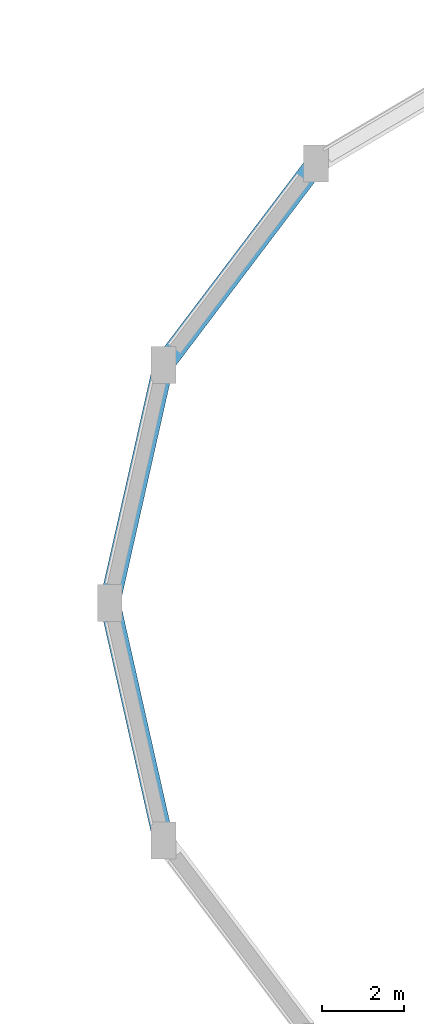
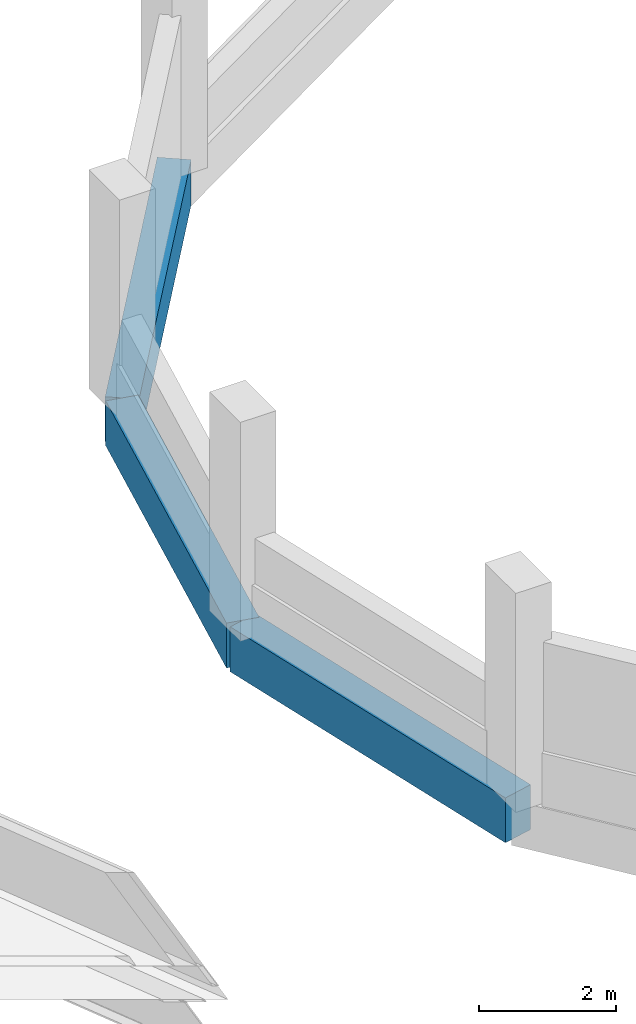
# One storey, part 72 of 108: 3 beams.
"""IFC4 building model written with IfcOpenShell, lengths in metres."""

from ifc_helpers import new_model, si_unit, direction, frame, origin, origin_2d, place, context, subcontext, project, spatial, rectangle, extrude, material, material_profile, profile_set, type_object, element, save


model = new_model("IFC4")

# Units and contexts
model_context = context("Model", 3, precision=1e-05, world=origin(), true_north=direction((0.0, 1.0)))
body_context = subcontext(model_context, "Body", "Model", "MODEL_VIEW")
ifc_project = project(units=[si_unit("LENGTHUNIT", "METRE"), si_unit("AREAUNIT", "SQUARE_METRE"), si_unit("VOLUMEUNIT", "CUBIC_METRE"), si_unit("PLANEANGLEUNIT", "RADIAN"), si_unit("MASSUNIT", "GRAM", prefix="KILO")], contexts=[model_context])

# Site, building, storey
site_placement = place(None, origin())
site = spatial("IfcSite", under=ifc_project, at=site_placement, CompositionType="ELEMENT")
building_placement = place(site_placement, origin())
building = spatial("IfcBuilding", under=site, at=building_placement, Name="Vespera Passage Community Centre", CompositionType="ELEMENT")
storey_placement = place(building_placement, frame((0.0, 0.0, 12.60009765625)))
storey = spatial("IfcBuildingStorey", under=building, at=storey_placement, Name="L03", CompositionType="ELEMENT", Elevation=12.60009765625)

# Beams
ifc_material = material(Name="Concrete f'c 35 MPa", Category="concrete")
ifc_material_profile = material_profile(ifc_material, rectangle(XDim=0.5, YDim=0.800048828125, at=origin_2d()), Name="RC500X800")
ifc_profile_set = profile_set([ifc_material_profile], Name="Concrete f'c 35 MPa")
beam_type = type_object("IfcBeamType", Name="BM-SP-500X800E", PredefinedType="SPANDREL", material=ifc_profile_set)
beam_placement = place(storey_placement, frame((130.908447265625, 100.17724609375, -0.400146484375), z_axis=(-0.603409203322, -0.797431710773, 0.0), x_axis=(0.797431710773, -0.603409203322, 0.0)))
element("IfcBeam", 1, at=beam_placement, inside=storey, type_object=beam_type, Name="V2 L03 Perimeter Spandrel 7", PredefinedType="SPANDREL", context=body_context, shape_type="SweptSolid", body=[
    extrude(rectangle(XDim=0.5, YDim=0.800048828125, at=origin_2d()), origin(), (0.0, 0.0, 1.0), 6.14306640625),
])
for number, where, z_axis, x_axis, name in (
    (2, (127.20166015625, 95.278564453125, -0.400146484375), (-0.219766204697, -0.9755525692, 0.0), (0.9755525692, -0.219766204697, 0.0), "V2 L03 Perimeter Spandrel 8"),
    (3, (125.89990234375, 89.5, -0.400146484375), (0.219766204697, -0.9755525692, 0.0), (0.9755525692, 0.219766204697, 0.0), "V2 L03 Perimeter Spandrel 9"),
):
    element("IfcBeam", number, at=place(storey_placement, frame(where, z_axis=z_axis, x_axis=x_axis)), inside=storey, type_object=beam_type, Name=name, PredefinedType="SPANDREL", context=body_context, shape_type="SweptSolid", body=[
        extrude(rectangle(XDim=0.5, YDim=0.800048828125, at=origin_2d()), origin(), (0.0, 0.0, 1.0), 5.92333984375),
    ])

save(model, "model.ifc")
